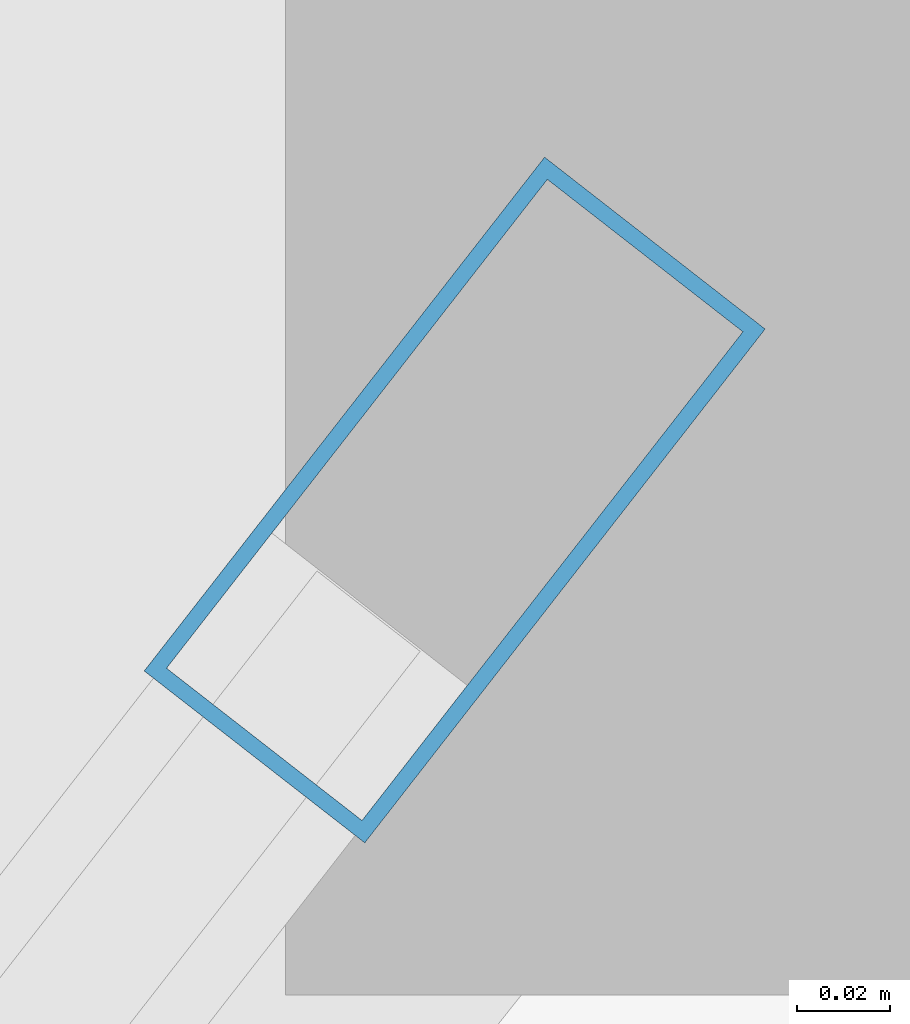
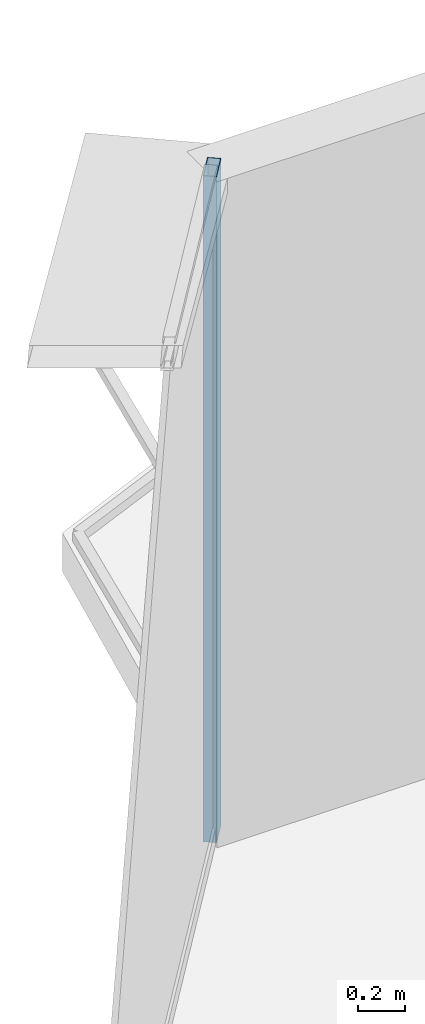
# One storey, part 21 of 37: 1 member, 1 element without a shape of its own.
"""IFC4 building model written with IfcOpenShell, lengths in metres."""

from ifc_helpers import new_model, si_unit, direction, frame, origin, origin_2d, place, context, subcontext, project, spatial, hollow_rectangle, extrude, source, transform, mapped, material, layer, layer_set, material_profile, profile_set, type_object, element, aggregate, save


model = new_model("IFC4")

# Units and contexts
model_context = context("Model", 3, precision=1e-05, world=origin(), true_north=direction((0.0, 1.0)))
body_context = subcontext(model_context, "Body", "Model", "MODEL_VIEW")
ifc_project = project(units=[si_unit("LENGTHUNIT", "METRE"), si_unit("AREAUNIT", "SQUARE_METRE"), si_unit("VOLUMEUNIT", "CUBIC_METRE"), si_unit("PLANEANGLEUNIT", "RADIAN"), si_unit("MASSUNIT", "GRAM", prefix="KILO"), si_unit("THERMODYNAMICTEMPERATUREUNIT", "KELVIN"), si_unit("POWERUNIT", "WATT")], contexts=[model_context])

# Site, building, storey
site_placement = place(None, origin())
site = spatial("IfcSite", under=ifc_project, at=site_placement, CompositionType="ELEMENT")
building_placement = place(site_placement, origin())
building = spatial("IfcBuilding", under=site, at=building_placement, Name="Yunzhuo Pagoda Commons", CompositionType="ELEMENT")
storey_placement = place(building_placement, frame((0.0, 0.0, 277.56005859375)))
storey = spatial("IfcBuildingStorey", under=building, at=storey_placement, Name="L69", CompositionType="ELEMENT", Elevation=277.56005859375)

# Curtain wall, member
ifc_material = material(Name="Anodized aluminium 6063-T6", Category="aluminium")
ifc_layer = layer(ifc_material, 0.139892578125)
ifc_layer_set = layer_set([ifc_layer], Name="Anodized aluminium 6063-T6")
curtain_wall_type = type_object("IfcCurtainWallType", Name="CW-HI High-Zone Ribbon Curtain Wall", PredefinedType="NOTDEFINED", material=ifc_layer_set)
curtain_wall_placement = place(storey_placement, origin())
curtain_wall = element("IfcCurtainWall", 1, at=curtain_wall_placement, inside=storey, type_object=curtain_wall_type, Name="L69 curtain wall CW-L69-F3B1", PredefinedType="NOTDEFINED")
ifc_material_profile = material_profile(ifc_material, hollow_rectangle(XDim=0.06005859375, YDim=0.139892578125, WallThickness=0.00341796875, at=origin_2d()), Name="Anodized aluminium 6063-T6")
ifc_profile_set = profile_set([ifc_material_profile], Name="Anodized aluminium 6063-T6")
member_type = type_object("IfcMemberType", Name="CW-HI-M Mullion RHS 140x60x3.5", PredefinedType="MULLION", material=ifc_profile_set)
shared_shape = source(origin(), body_context, "Body", "SweptSolid", [
    extrude(hollow_rectangle(XDim=0.06005859375, YDim=0.139892578125, WallThickness=0.00341796875, at=origin_2d()), origin(), (0.0, 0.0, 1.0), 3.469970703125),
])
member_placement = place(storey_placement, frame((44.404296875, 76.769287109375, 0.0), z_axis=(0.0, 0.0, 1.0), x_axis=(0.78878314481, -0.614671579353, 0.0)))
member = element("IfcMember", 2, at=member_placement, type_object=member_type, Name="CW mullion 1", PredefinedType="MULLION", context=body_context, shape_type="MappedRepresentation", body=[
    mapped(shared_shape, transform((0.0, 0.0, 0.0), scale=1.0)),
])
aggregate(curtain_wall, [member])

save(model, "model.ifc")
